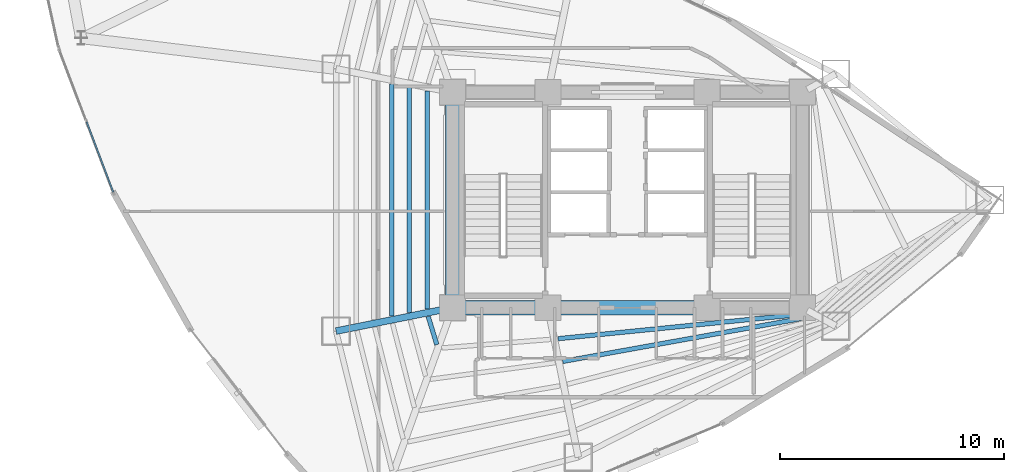
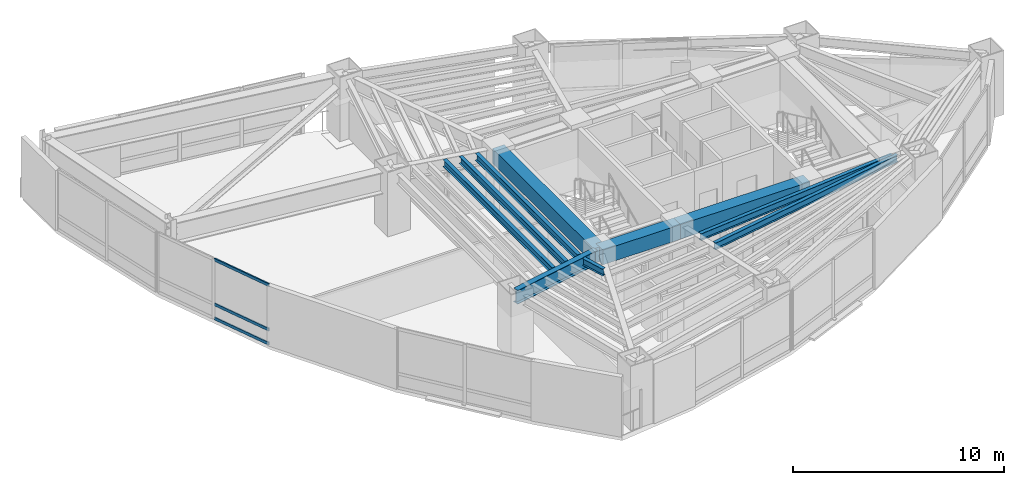
# One storey, part 7 of 23: 10 beams, 3 members, 1 element without a shape of its own.
"""IFC4 building model written with IfcOpenShell, lengths in metres."""

from ifc_helpers import new_model, si_unit, direction, frame, origin, origin_2d, place, context, subcontext, project, spatial, rectangle, hollow_rectangle, i_section, extrude, material, layer, layer_set, material_profile, profile_set, type_object, element, aggregate, save


model = new_model("IFC4")

# Units and contexts
model_context = context("Model", 3, precision=1e-05, world=origin(), true_north=direction((0.0, 1.0)))
body_context = subcontext(model_context, "Body", "Model", "MODEL_VIEW")
ifc_project = project(units=[si_unit("LENGTHUNIT", "METRE"), si_unit("AREAUNIT", "SQUARE_METRE"), si_unit("VOLUMEUNIT", "CUBIC_METRE"), si_unit("PLANEANGLEUNIT", "RADIAN"), si_unit("MASSUNIT", "GRAM", prefix="KILO")], contexts=[model_context])

# Site, building, storey
site_placement = place(None, origin())
site = spatial("IfcSite", under=ifc_project, at=site_placement, CompositionType="ELEMENT")
building_placement = place(site_placement, origin())
building = spatial("IfcBuilding", under=site, at=building_placement, Name="Menara Vayukalpa", CompositionType="ELEMENT")
storey_placement = place(building_placement, frame((0.0, 0.0, 103.97998046875)))
storey = spatial("IfcBuildingStorey", under=building, at=storey_placement, Name="L25", CompositionType="ELEMENT", Elevation=103.97998046875)

# Beams
ifc_material_1 = material(Name="Concrete C60/75", Category="concrete")
ifc_material_profile_1 = material_profile(ifc_material_1, rectangle(XDim=0.64990234375, YDim=0.85009765625, at=origin_2d()), Name="RC 650x850")
ifc_profile_set_1 = profile_set([ifc_material_profile_1], Name="Concrete C60/75")
beam_type_1 = type_object("IfcBeamType", Name="BM-CB1", PredefinedType="BEAM", material=ifc_profile_set_1)
beam_1_placement = place(storey_placement, frame((17.800048828125, 17.199951171875, 3.044921875), z_axis=(1.0, 0.0, 0.0), x_axis=(0.0, 1.0, 0.0)))
element("IfcBeam", 1, at=beam_1_placement, inside=storey, type_object=beam_type_1, Name="L25 Core Tie Beam CBR1", PredefinedType="BEAM", context=body_context, shape_type="SweptSolid", body=[
    extrude(rectangle(XDim=0.64990234375, YDim=0.85009765625, at=origin_2d()), origin(), (0.0, 0.0, 1.0), 4.25),
])
beam_2_placement = place(storey_placement, frame((22.050048828125, 17.199951171875, 3.044921875), z_axis=(1.0, 0.0, 0.0), x_axis=(0.0, 1.0, 0.0)))
element("IfcBeam", 2, at=beam_2_placement, inside=storey, type_object=beam_type_1, Name="L25 Core Tie Beam CBR2", PredefinedType="BEAM", context=body_context, shape_type="SweptSolid", body=[
    extrude(rectangle(XDim=0.64990234375, YDim=0.85009765625, at=origin_2d()), origin(), (0.0, 0.0, 1.0), 7.099853515625),
])
beam_3_placement = place(storey_placement, frame((17.800048828125, 17.199951171875, 3.044921875), z_axis=(0.0, 1.0, 0.0), x_axis=(-1.0, 0.0, 0.0)))
element("IfcBeam", 3, at=beam_3_placement, inside=storey, type_object=beam_type_1, Name="L25 Core Tie Beam CBR7", PredefinedType="BEAM", context=body_context, shape_type="SweptSolid", body=[
    extrude(rectangle(XDim=0.64990234375, YDim=0.85009765625, at=origin_2d()), origin(), (0.0, 0.0, 1.0), 9.60009765625),
])
ifc_material_2 = material(Name="Steel S355", Category="steel")
ifc_material_profile_2 = material_profile(ifc_material_2, i_section(OverallWidth=0.300048828125, OverallDepth=0.800048828125, WebThickness=0.013916015625, FlangeThickness=0.02587890625, at=origin_2d()), Name="WF 800x300x14x26")
ifc_profile_set_2 = profile_set([ifc_material_profile_2], Name="Steel S355")
beam_type_2 = type_object("IfcBeamType", Name="BM-PG3", PredefinedType="BEAM", material=ifc_profile_set_2)
beam_4_placement = place(storey_placement, frame((17.554931640625, 17.150634765625, 3.070068359375), z_axis=(-0.980324984906, -0.197390283373, 0.0), x_axis=(0.197390283373, -0.980324984906, 0.0)))
element("IfcBeam", 4, at=beam_4_placement, inside=storey, type_object=beam_type_2, Name="L25 Primary Radial Girder RG06", PredefinedType="BEAM", context=body_context, shape_type="SweptSolid", body=[
    extrude(i_section(OverallWidth=0.300048828125, OverallDepth=0.800048828125, WebThickness=0.013916015625, FlangeThickness=0.02587890625, at=origin_2d()), origin(), (0.0, 0.0, 1.0), 5.047607421875),
])
ifc_material_3 = material(Name="Steel S355", Category="steel")
ifc_material_profile_3 = material_profile(ifc_material_3, i_section(OverallWidth=0.199951171875, OverallDepth=0.39990234375, WebThickness=0.008056640625, FlangeThickness=0.012939453125, at=origin_2d()), Name="WF 400x200x8x13")
ifc_profile_set_3 = profile_set([ifc_material_profile_3], Name="Steel S355")
beam_type_3 = type_object("IfcBeamType", Name="BM-SJ2", PredefinedType="JOIST", material=ifc_profile_set_3)
beam_5_placement = place(storey_placement, frame((16.664306640625, 26.858642578125, 3.27001953125), z_axis=(0.0, -1.0, 0.0), x_axis=(1.0, 0.0, 0.0)))
element("IfcBeam", 5, at=beam_5_placement, inside=storey, type_object=beam_type_3, Name="L25 Secondary Floor Joist SJ05-1", PredefinedType="JOIST", context=body_context, shape_type="SweptSolid", body=[
    extrude(i_section(OverallWidth=0.199951171875, OverallDepth=0.39990234375, WebThickness=0.008056640625, FlangeThickness=0.012939453125, at=origin_2d()), origin(), (0.0, 0.0, 1.0), 9.71728515625),
])
beam_6_placement = place(storey_placement, frame((15.87255859375, 27.01806640625, 3.27001953125), z_axis=(0.0, -1.0, 0.0), x_axis=(1.0, 0.0, 0.0)))
element("IfcBeam", 6, at=beam_6_placement, inside=storey, type_object=beam_type_3, Name="L25 Secondary Floor Joist SJ05-2", PredefinedType="JOIST", context=body_context, shape_type="SweptSolid", body=[
    extrude(i_section(OverallWidth=0.199951171875, OverallDepth=0.39990234375, WebThickness=0.008056640625, FlangeThickness=0.012939453125, at=origin_2d()), origin(), (0.0, 0.0, 1.0), 10.0361328125),
])
beam_7_placement = place(storey_placement, frame((15.080810546875, 27.177490234375, 3.27001953125), z_axis=(0.0, -1.0, 0.0), x_axis=(1.0, 0.0, 0.0)))
element("IfcBeam", 7, at=beam_7_placement, inside=storey, type_object=beam_type_3, Name="L25 Secondary Floor Joist SJ05-3", PredefinedType="JOIST", context=body_context, shape_type="SweptSolid", body=[
    extrude(i_section(OverallWidth=0.199951171875, OverallDepth=0.39990234375, WebThickness=0.008056640625, FlangeThickness=0.012939453125, at=origin_2d()), origin(), (0.0, 0.0, 1.0), 10.35498046875),
])
beam_8_placement = place(storey_placement, frame((16.714111328125, 16.808837890625, 3.27001953125), z_axis=(0.292651981473, -0.956219021846, 0.0), x_axis=(0.956219021846, 0.292651981473, 0.0)))
element("IfcBeam", 8, at=beam_8_placement, inside=storey, type_object=beam_type_3, Name="L25 Secondary Floor Joist SJ06-1", PredefinedType="JOIST", context=body_context, shape_type="SweptSolid", body=[
    extrude(i_section(OverallWidth=0.199951171875, OverallDepth=0.39990234375, WebThickness=0.008056640625, FlangeThickness=0.012939453125, at=origin_2d()), origin(), (0.0, 0.0, 1.0), 1.31640625),
])
beam_9_placement = place(storey_placement, frame((22.50439453125, 15.81591796875, 3.27001953125), z_axis=(0.995012836574, 0.099746955103, 0.0), x_axis=(-0.099746955103, 0.995012836574, 0.0)))
element("IfcBeam", 9, at=beam_9_placement, inside=storey, type_object=beam_type_3, Name="L25 Secondary Floor Joist SJ08-1", PredefinedType="JOIST", context=body_context, shape_type="SweptSolid", body=[
    extrude(i_section(OverallWidth=0.199951171875, OverallDepth=0.39990234375, WebThickness=0.008056640625, FlangeThickness=0.012939453125, at=origin_2d()), origin(), (0.0, 0.0, 1.0), 11.2294921875),
])
beam_10_placement = place(storey_placement, frame((22.7119140625, 14.801513671875, 3.27001953125), z_axis=(0.984205443357, 0.177030068819, 0.0), x_axis=(-0.177030068819, 0.984205443357, 0.0)))
element("IfcBeam", 10, at=beam_10_placement, inside=storey, type_object=beam_type_3, Name="L25 Secondary Floor Joist SJ08-2", PredefinedType="JOIST", context=body_context, shape_type="SweptSolid", body=[
    extrude(i_section(OverallWidth=0.199951171875, OverallDepth=0.39990234375, WebThickness=0.008056640625, FlangeThickness=0.012939453125, at=origin_2d()), origin(), (0.0, 0.0, 1.0), 11.349853515625),
])

# Curtain wall, members
ifc_material_4 = material(Name="Anodised Terracotta Aluminium Alloy 6063-T6", Category="masonry")
ifc_layer = layer(ifc_material_4, 0.179931640625)
ifc_layer_set = layer_set([ifc_layer], Name="Anodised Terracotta Aluminium Alloy 6063-T6")
curtain_wall_type = type_object("IfcCurtainWallType", Name="CW-CW4", PredefinedType="USERDEFINED", material=ifc_layer_set)
curtain_wall_placement = place(storey_placement, origin())
curtain_wall = element("IfcCurtainWall", 11, at=curtain_wall_placement, inside=storey, type_object=curtain_wall_type, Name="L25 Sky Bar Cantilever Glazed Curtain Wall CW4 11", ObjectType="UNITISED", PredefinedType="USERDEFINED")
ifc_material_5 = material(Name="Anodised Terracotta Aluminium Alloy 6063-T6", Category="masonry")
ifc_material_profile_4 = material_profile(ifc_material_5, hollow_rectangle(XDim=0.070068359375, YDim=0.1650390625, WallThickness=0.00390625, at=origin_2d()), Name="ALU 70x165x4")
ifc_profile_set_4 = profile_set([ifc_material_profile_4], Name="Anodised Terracotta Aluminium Alloy 6063-T6")
member_type = type_object("IfcMemberType", Name="CWT-CW4", PredefinedType="USERDEFINED", material=ifc_profile_set_4)
member_1_placement = place(storey_placement, frame((1.4853515625, 25.48388671875, 0.034912109375), z_axis=(0.354801377627, -0.934941700019, 0.0), x_axis=(0.934941700019, 0.354801377627, 0.0)))
member_1 = element("IfcMember", 12, at=member_1_placement, type_object=member_type, Name="CW4 transom 2.1", ObjectType="TRANSOM", PredefinedType="USERDEFINED", context=body_context, shape_type="SweptSolid", body=[
    extrude(hollow_rectangle(XDim=0.070068359375, YDim=0.1650390625, WallThickness=0.00390625, at=origin_2d()), origin(), (0.0, 0.0, 1.0), 3.35107421875),
])
member_2_placement = place(storey_placement, frame((1.4853515625, 25.48388671875, 0.85009765625), z_axis=(0.354801377627, -0.934941700019, 0.0), x_axis=(0.934941700019, 0.354801377627, 0.0)))
member_2 = element("IfcMember", 13, at=member_2_placement, type_object=member_type, Name="CW4 transom 2.2", ObjectType="TRANSOM", PredefinedType="USERDEFINED", context=body_context, shape_type="SweptSolid", body=[
    extrude(hollow_rectangle(XDim=0.070068359375, YDim=0.1650390625, WallThickness=0.00390625, at=origin_2d()), origin(), (0.0, 0.0, 1.0), 3.35107421875),
])
member_3_placement = place(storey_placement, frame((1.4853515625, 25.48388671875, 3.43505859375), z_axis=(0.354801377627, -0.934941700019, 0.0), x_axis=(0.934941700019, 0.354801377627, 0.0)))
member_3 = element("IfcMember", 14, at=member_3_placement, type_object=member_type, Name="CW4 transom 2.3", ObjectType="TRANSOM", PredefinedType="USERDEFINED", context=body_context, shape_type="SweptSolid", body=[
    extrude(hollow_rectangle(XDim=0.070068359375, YDim=0.1650390625, WallThickness=0.00390625, at=origin_2d()), origin(), (0.0, 0.0, 1.0), 3.35107421875),
])
aggregate(curtain_wall, [member_1, member_2, member_3])

save(model, "model.ifc")
